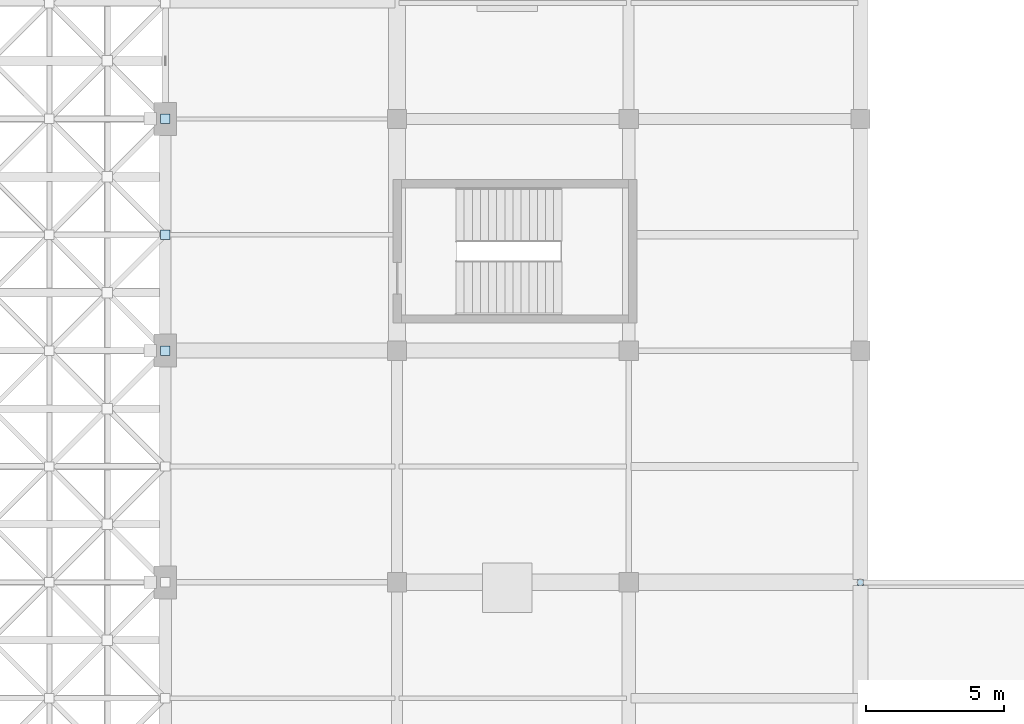
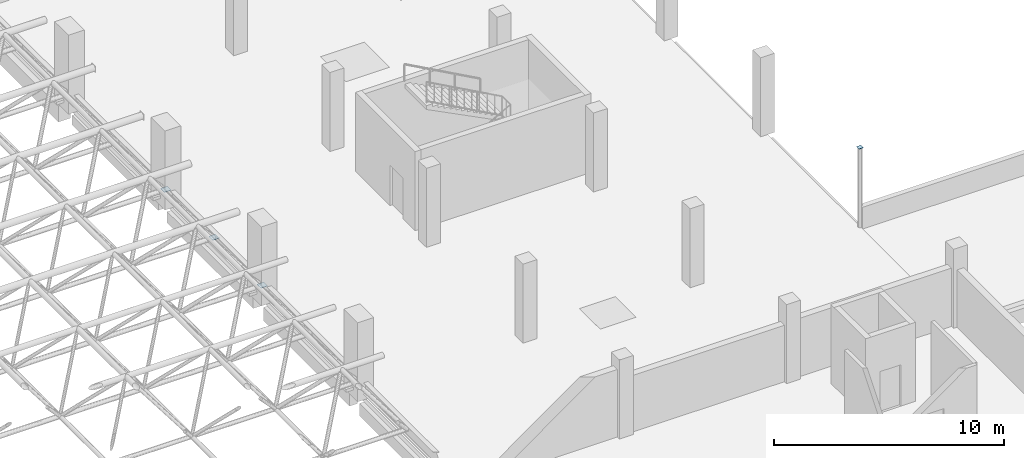
# One storey, part 44 of 64: 4 plates.
"""IFC4 building model written with IfcOpenShell, lengths in metres."""

import ifcopenshell
import ifcopenshell.guid

model = None  # the IFC model being written
_history = None  # IfcOwnerHistory: only IFC2X3 demands one
_inside = {}  # id of a spatial element -> (the spatial element, [elements in it])
_under = {}  # id of a project, library or spatial element -> (it, [spatial elements below it])
_declared = {}  # id of a project -> (the project, [libraries it declares])
_typed = {}  # id of a type object -> (the type object, [elements of that type])
_made_of = {}  # id of a material, layer set ... -> (it, [elements and type objects made of it])


def new_model(schema):
    """Start an empty IFC model of exactly this schema.

    Asked for "IFC4X3", IfcOpenShell would pick the latest addendum, in which some entities
    have other attributes; the version numbers below select the first issue.
    IFC2X3 requires an IfcOwnerHistory on every rooted entity: one is made here for all.
    """
    global model, _history
    if schema == "IFC4X3":
        model = ifcopenshell.file(schema_version=(4, 3, 0, 0))
    else:
        model = ifcopenshell.file(schema=schema)
    _inside.clear()
    _under.clear()
    _declared.clear()
    _typed.clear()
    _made_of.clear()
    _history = None
    if model.schema == "IFC2X3":
        org = make("IfcOrganization", Name="unknown")
        user = make(
            "IfcPersonAndOrganization",
            ThePerson=make("IfcPerson", FamilyName="unknown"),
            TheOrganization=org,
        )
        app = make(
            "IfcApplication",
            ApplicationDeveloper=org,
            Version="unknown",
            ApplicationFullName="unknown",
            ApplicationIdentifier="unknown",
        )
        _history = make(
            "IfcOwnerHistory",
            OwningUser=user,
            OwningApplication=app,
            ChangeAction="ADDED",
            CreationDate=0,
        )
    return model


def make(cls, **values):
    """One entity of the class cls with the attributes given. An attribute that is None is left unset."""
    return model.create_entity(
        cls, **{name: value for name, value in values.items() if value is not None}
    )


def rooted(cls, **values):
    """An entity with a GlobalId (a new one), such as an element, a storey or a relation."""
    return make(cls, GlobalId=ifcopenshell.guid.new(), OwnerHistory=_history, **values)


def si_unit(unit_type, name, prefix=None):
    """IfcSIUnit, for example si_unit("LENGTHUNIT", "METRE", prefix="MILLI")."""
    return make("IfcSIUnit", UnitType=unit_type, Prefix=prefix, Name=name)


def derived_unit(unit_type, elements):
    """IfcDerivedUnit: a product of units, each with its exponent."""
    return make(
        "IfcDerivedUnit",
        Elements=[
            make("IfcDerivedUnitElement", Unit=unit, Exponent=power)
            for unit, power in elements
        ],
        UnitType=unit_type,
    )


def assignment(units):
    """IfcUnitAssignment: the units of a project."""
    return None if units is None else make("IfcUnitAssignment", Units=units)


def point(xyz):
    """IfcCartesianPoint."""
    return None if xyz is None else make("IfcCartesianPoint", Coordinates=xyz)


def direction(xyz):
    """IfcDirection."""
    return None if xyz is None else make("IfcDirection", DirectionRatios=xyz)


def frame(location, z_axis=None, x_axis=None):
    """IfcAxis2Placement3D, a coordinate frame: its origin and axes. An axis left out is left unset."""
    return make(
        "IfcAxis2Placement3D",
        Location=point(location),
        Axis=direction(z_axis),
        RefDirection=direction(x_axis),
    )


def frame_2d(location, x_axis=None):
    """IfcAxis2Placement2D, a coordinate frame in the plane: its origin and x axis."""
    return make(
        "IfcAxis2Placement2D", Location=point(location), RefDirection=direction(x_axis)
    )


def origin():
    """The frame at (0, 0, 0) with its axes left unset."""
    return frame((0.0, 0.0, 0.0))


def origin_2d():
    """The frame at (0, 0) in the plane with its x axis left unset."""
    return frame_2d((0.0, 0.0))


def place(relative_to, where):
    """IfcLocalPlacement: puts the frame where relative to a parent placement (None: the world)."""
    return make(
        "IfcLocalPlacement", PlacementRelTo=relative_to, RelativePlacement=where
    )


def context(
    kind, dimensions, precision=None, world=None, true_north=None, identifier=None
):
    """IfcGeometricRepresentationContext, for example the 3D "Model" context."""
    return make(
        "IfcGeometricRepresentationContext",
        ContextIdentifier=identifier,
        ContextType=kind,
        CoordinateSpaceDimension=dimensions,
        Precision=precision,
        WorldCoordinateSystem=world,
        TrueNorth=true_north,
    )


def subcontext(parent, identifier, kind, view, scale=None):
    """IfcGeometricRepresentationSubContext, for example "Body" below "Model"."""
    return make(
        "IfcGeometricRepresentationSubContext",
        ContextIdentifier=identifier,
        ContextType=kind,
        ParentContext=parent,
        TargetScale=scale,
        TargetView=view,
    )


def project(units=None, contexts=None):
    """IfcProject with its units and contexts."""
    return rooted(
        "IfcProject",
        Name="project",
        RepresentationContexts=contexts,
        UnitsInContext=assignment(units),
    )


def spatial(cls, under=None, at=None, **own):
    """A site, building, storey or space (cls), placed at a placement, below another one or the project."""
    s = rooted(cls, ObjectPlacement=at, **own)
    if under is not None:
        _under.setdefault(under.id(), (under, []))[1].append(s)
    return s


def profile(cls, at=None, kind="AREA", **sizes):
    """A parametric profile (cls). Its sizes go by their IFC names, for example OverallWidth=200.0."""
    return make(cls, ProfileType=kind, Position=at, **sizes)


def rectangle(**sizes):
    """IfcRectangleProfileDef."""
    return profile("IfcRectangleProfileDef", **sizes)


def extrude(swept, where, along, depth):
    """IfcExtrudedAreaSolid: the profile swept, set in the frame where, extruded along a direction by depth."""
    return make(
        "IfcExtrudedAreaSolid",
        SweptArea=swept,
        Position=where,
        ExtrudedDirection=direction(along),
        Depth=depth,
    )


def shape(context_of_items, identifier, shape_type, items):
    """IfcShapeRepresentation: the items that make up one representation, for example the "Body"."""
    return make(
        "IfcShapeRepresentation",
        ContextOfItems=context_of_items,
        RepresentationIdentifier=identifier,
        RepresentationType=shape_type,
        Items=items,
    )


def material(Name=None, Category=None):
    """IfcMaterial."""
    return make("IfcMaterial", Name=Name, Category=Category)


def layer(
    of_material, thickness, ventilated=None, Name=None, Category=None, Priority=None
):
    """IfcMaterialLayer: one layer of a wall or slab, of a material (None: an air gap)."""
    return make(
        "IfcMaterialLayer",
        Material=of_material,
        LayerThickness=thickness,
        IsVentilated=ventilated,
        Name=Name,
        Category=Category,
        Priority=Priority,
    )


def layer_set(layers, Name=None):
    """IfcMaterialLayerSet."""
    return make("IfcMaterialLayerSet", MaterialLayers=layers, LayerSetName=Name)


def made_of(thing, what):
    """Note that an element or type object is made of a material, layer set ...; save() writes the relation."""
    if what is not None:
        _made_of.setdefault(what.id(), (what, []))[1].append(thing)
    return thing


def type_object(cls, material=None, **own):
    """A type object (cls), such as IfcWallType, which elements share."""
    return made_of(rooted(cls, **own), material)


def element(
    cls,
    number,
    at=None,
    inside=None,
    cuts=None,
    type_object=None,
    material=None,
    context=None,
    identifier="Body",
    shape_type=None,
    held_by="IfcProductDefinitionShape",
    body=None,
    shapes=None,
    **own,
):
    """One element of the class cls, such as IfcWall. Its Tag is "e" and its number.

    at: its placement. inside: the storey or other place that contains it. cuts: it is an
    opening in that element (IfcRelVoidsElement). A single representation is given by context,
    identifier, shape_type and body (its items); several are given by shapes. held_by: the class
    of the entity that holds the representations. save() writes the other relations.
    """
    e = rooted(cls, Tag="e%d" % number, ObjectPlacement=at, **own)
    if body is not None:
        shapes = [shape(context, identifier, shape_type, body)]
    if shapes is not None:
        e.Representation = make(held_by, Representations=shapes)
    if inside is not None:
        _inside.setdefault(inside.id(), (inside, []))[1].append(e)
    if cuts is not None:
        rooted(
            "IfcRelVoidsElement", RelatingBuildingElement=cuts, RelatedOpeningElement=e
        )
    if type_object is not None:
        _typed.setdefault(type_object.id(), (type_object, []))[1].append(e)
    return made_of(e, material)


def aggregate(whole, parts):
    """IfcRelAggregates: a whole, such as a stair, and the parts it consists of."""
    return rooted("IfcRelAggregates", RelatingObject=whole, RelatedObjects=parts)


def save(model, path):
    """Write the relations noted so far, then the file.

    IfcRelAggregates (storeys below a building ...), IfcRelContainedInSpatialStructure (elements
    in a storey), IfcRelDefinesByType, IfcRelAssociatesMaterial and IfcRelDeclares: one each for
    every whole, place, type object, material and project.
    """
    for whole, parts in _under.values():
        aggregate(whole, parts)
    for where, things in _inside.values():
        rooted(
            "IfcRelContainedInSpatialStructure",
            RelatedElements=things,
            RelatingStructure=where,
        )
    for kind, things in _typed.values():
        rooted("IfcRelDefinesByType", RelatedObjects=things, RelatingType=kind)
    for what, things in _made_of.values():
        rooted("IfcRelAssociatesMaterial", RelatedObjects=things, RelatingMaterial=what)
    for by, libraries in _declared.values():
        rooted("IfcRelDeclares", RelatingContext=by, RelatedDefinitions=libraries)
    model.write(path)


model = new_model("IFC4")

# Units and contexts
model_context = context("Model", 3, precision=1e-05, world=origin(), true_north=direction((0.0, 1.0)))
body_context = subcontext(model_context, "Body", "Model", "MODEL_VIEW")
ifc_project = project(units=[si_unit("LENGTHUNIT", "METRE"), si_unit("AREAUNIT", "SQUARE_METRE"), si_unit("VOLUMEUNIT", "CUBIC_METRE"), si_unit("PLANEANGLEUNIT", "RADIAN"), si_unit("MASSUNIT", "GRAM", prefix="KILO"), derived_unit("THERMALTRANSMITTANCEUNIT", [(si_unit("POWERUNIT", "WATT"), 1), (si_unit("LENGTHUNIT", "METRE"), -2), (si_unit("THERMODYNAMICTEMPERATUREUNIT", "KELVIN"), -1)])], contexts=[model_context])

# Site, building, storey
site_placement = place(None, origin())
site = spatial("IfcSite", under=ifc_project, at=site_placement, CompositionType="ELEMENT")
building_placement = place(site_placement, origin())
building = spatial("IfcBuilding", under=site, at=building_placement, Name="Barrovel Congress Hotel", CompositionType="ELEMENT")
storey_placement = place(building_placement, frame((0.0, 0.0, 14.10009765625)))
storey = spatial("IfcBuildingStorey", under=building, at=storey_placement, Name="L03", CompositionType="ELEMENT", Elevation=14.10009765625)

# Plates
ifc_material = material(Name="Steel ASTM A992 Grade 50", Category="steel")
ifc_layer_1 = layer(ifc_material, 0.010009765625)
ifc_layer_set_1 = layer_set([ifc_layer_1], Name="Steel ASTM A992 Grade 50")
plate_type_1 = type_object("IfcPlateType", Name="EC-10", PredefinedType="SHEET", material=ifc_layer_set_1)
plate_placement = place(storey_placement, frame((58.800048828125, 46.199951171875, 4.19970703125), z_axis=(0.0, 0.0, 1.0), x_axis=(1.0, 0.0, 0.0)))
element("IfcPlate", 1, at=plate_placement, inside=storey, type_object=plate_type_1, Name="End Cap Plate COL:L03:58.8:46.2 end", PredefinedType="SHEET", context=body_context, shape_type="SweptSolid", body=[
    extrude(rectangle(XDim=0.218994140625, YDim=0.218994140625, at=origin_2d()), origin(), (0.0, 0.0, 1.0), 0.010009765625),
])
ifc_layer_2 = layer(ifc_material, 0.01611328125)
ifc_layer_set_2 = layer_set([ifc_layer_2], Name="Steel ASTM A992 Grade 50")
plate_type_2 = type_object("IfcPlateType", Name="GP-16", PredefinedType="SHEET", material=ifc_layer_set_2)
for number, where, z_axis, x_axis, name in (
    (2, (33.60009765625, 54.60009765625, 0.591796875), (0.0, 0.0, 1.0), (1.0, 0.0, 0.0), "Space Frame Bottom Node Gusset Plate 8-4"),
    (3, (33.60009765625, 58.800048828125, 0.591796875), (0.0, 0.0, 1.0), (1.0, 0.0, 0.0), "Space Frame Bottom Node Gusset Plate 8-5"),
    (4, (33.60009765625, 63.0, 0.591796875), (0.0, 0.0, 1.0), (1.0, 0.0, 0.0), "Space Frame Bottom Node Gusset Plate 8-6"),
):
    element("IfcPlate", number, at=place(storey_placement, frame(where, z_axis=z_axis, x_axis=x_axis)), inside=storey, type_object=plate_type_2, Name=name, PredefinedType="SHEET", context=body_context, shape_type="SweptSolid", body=[
        extrude(rectangle(XDim=0.340087890625, YDim=0.340087890625, at=origin_2d()), origin(), (0.0, 0.0, 1.0), 0.01611328125),
    ])

save(model, "model.ifc")
